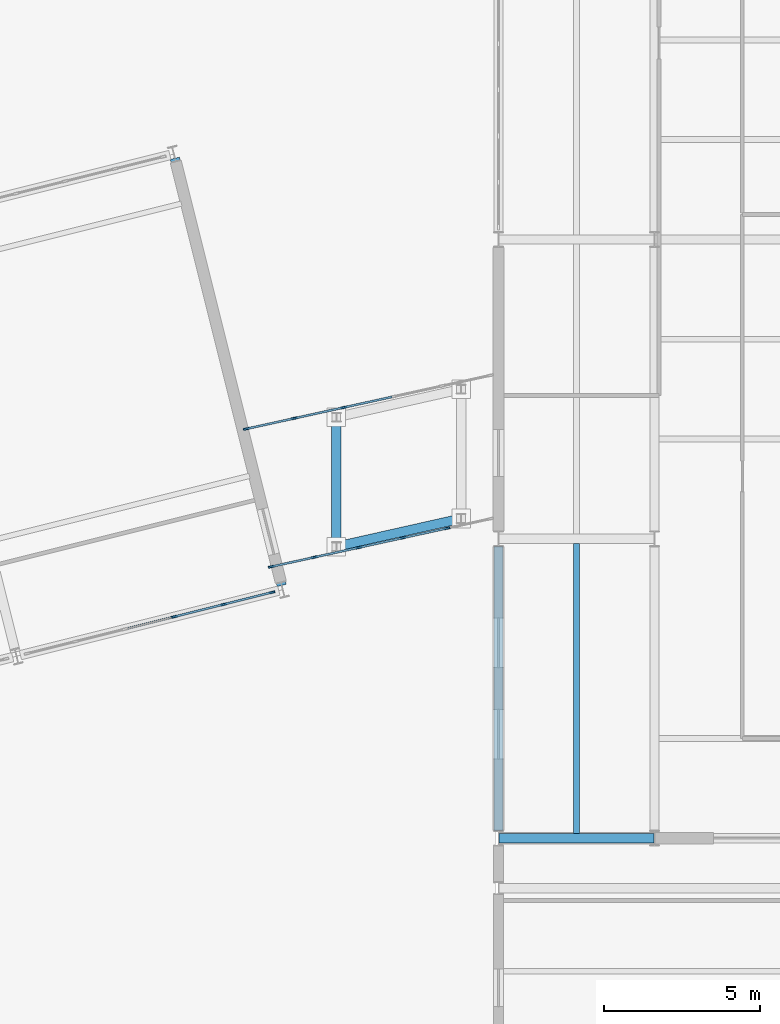
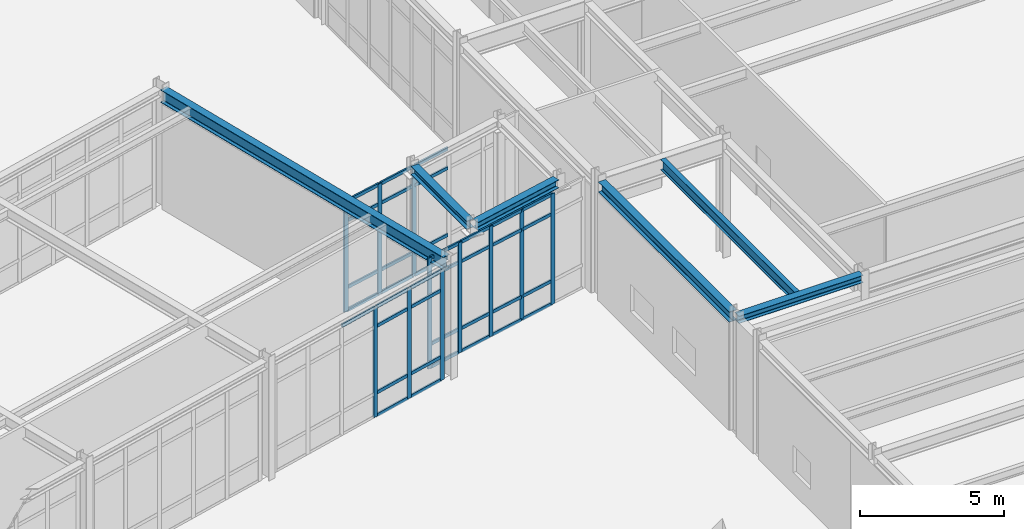
# One storey, part 31 of 109: 48 members, 6 beams, 3 elements without a shape of their own.
"""IFC4 building model written with IfcOpenShell, lengths in metres."""

import ifcopenshell
import ifcopenshell.guid

model = None  # the IFC model being written
_history = None  # IfcOwnerHistory: only IFC2X3 demands one
_inside = {}  # id of a spatial element -> (the spatial element, [elements in it])
_under = {}  # id of a project, library or spatial element -> (it, [spatial elements below it])
_declared = {}  # id of a project -> (the project, [libraries it declares])
_typed = {}  # id of a type object -> (the type object, [elements of that type])
_made_of = {}  # id of a material, layer set ... -> (it, [elements and type objects made of it])


def new_model(schema):
    """Start an empty IFC model of exactly this schema.

    Asked for "IFC4X3", IfcOpenShell would pick the latest addendum, in which some entities
    have other attributes; the version numbers below select the first issue.
    IFC2X3 requires an IfcOwnerHistory on every rooted entity: one is made here for all.
    """
    global model, _history
    if schema == "IFC4X3":
        model = ifcopenshell.file(schema_version=(4, 3, 0, 0))
    else:
        model = ifcopenshell.file(schema=schema)
    _inside.clear()
    _under.clear()
    _declared.clear()
    _typed.clear()
    _made_of.clear()
    _history = None
    if model.schema == "IFC2X3":
        org = make("IfcOrganization", Name="unknown")
        user = make(
            "IfcPersonAndOrganization",
            ThePerson=make("IfcPerson", FamilyName="unknown"),
            TheOrganization=org,
        )
        app = make(
            "IfcApplication",
            ApplicationDeveloper=org,
            Version="unknown",
            ApplicationFullName="unknown",
            ApplicationIdentifier="unknown",
        )
        _history = make(
            "IfcOwnerHistory",
            OwningUser=user,
            OwningApplication=app,
            ChangeAction="ADDED",
            CreationDate=0,
        )
    return model


def make(cls, **values):
    """One entity of the class cls with the attributes given. An attribute that is None is left unset."""
    return model.create_entity(
        cls, **{name: value for name, value in values.items() if value is not None}
    )


def rooted(cls, **values):
    """An entity with a GlobalId (a new one), such as an element, a storey or a relation."""
    return make(cls, GlobalId=ifcopenshell.guid.new(), OwnerHistory=_history, **values)


def si_unit(unit_type, name, prefix=None):
    """IfcSIUnit, for example si_unit("LENGTHUNIT", "METRE", prefix="MILLI")."""
    return make("IfcSIUnit", UnitType=unit_type, Prefix=prefix, Name=name)


def assignment(units):
    """IfcUnitAssignment: the units of a project."""
    return None if units is None else make("IfcUnitAssignment", Units=units)


def point(xyz):
    """IfcCartesianPoint."""
    return None if xyz is None else make("IfcCartesianPoint", Coordinates=xyz)


def direction(xyz):
    """IfcDirection."""
    return None if xyz is None else make("IfcDirection", DirectionRatios=xyz)


def frame(location, z_axis=None, x_axis=None):
    """IfcAxis2Placement3D, a coordinate frame: its origin and axes. An axis left out is left unset."""
    return make(
        "IfcAxis2Placement3D",
        Location=point(location),
        Axis=direction(z_axis),
        RefDirection=direction(x_axis),
    )


def frame_2d(location, x_axis=None):
    """IfcAxis2Placement2D, a coordinate frame in the plane: its origin and x axis."""
    return make(
        "IfcAxis2Placement2D", Location=point(location), RefDirection=direction(x_axis)
    )


def origin():
    """The frame at (0, 0, 0) with its axes left unset."""
    return frame((0.0, 0.0, 0.0))


def origin_2d():
    """The frame at (0, 0) in the plane with its x axis left unset."""
    return frame_2d((0.0, 0.0))


def place(relative_to, where):
    """IfcLocalPlacement: puts the frame where relative to a parent placement (None: the world)."""
    return make(
        "IfcLocalPlacement", PlacementRelTo=relative_to, RelativePlacement=where
    )


def context(
    kind, dimensions, precision=None, world=None, true_north=None, identifier=None
):
    """IfcGeometricRepresentationContext, for example the 3D "Model" context."""
    return make(
        "IfcGeometricRepresentationContext",
        ContextIdentifier=identifier,
        ContextType=kind,
        CoordinateSpaceDimension=dimensions,
        Precision=precision,
        WorldCoordinateSystem=world,
        TrueNorth=true_north,
    )


def subcontext(parent, identifier, kind, view, scale=None):
    """IfcGeometricRepresentationSubContext, for example "Body" below "Model"."""
    return make(
        "IfcGeometricRepresentationSubContext",
        ContextIdentifier=identifier,
        ContextType=kind,
        ParentContext=parent,
        TargetScale=scale,
        TargetView=view,
    )


def project(units=None, contexts=None):
    """IfcProject with its units and contexts."""
    return rooted(
        "IfcProject",
        Name="project",
        RepresentationContexts=contexts,
        UnitsInContext=assignment(units),
    )


def spatial(cls, under=None, at=None, **own):
    """A site, building, storey or space (cls), placed at a placement, below another one or the project."""
    s = rooted(cls, ObjectPlacement=at, **own)
    if under is not None:
        _under.setdefault(under.id(), (under, []))[1].append(s)
    return s


def profile(cls, at=None, kind="AREA", **sizes):
    """A parametric profile (cls). Its sizes go by their IFC names, for example OverallWidth=200.0."""
    return make(cls, ProfileType=kind, Position=at, **sizes)


def rectangle(**sizes):
    """IfcRectangleProfileDef."""
    return profile("IfcRectangleProfileDef", **sizes)


def i_section(**sizes):
    """IfcIShapeProfileDef."""
    return profile("IfcIShapeProfileDef", **sizes)


def extrude(swept, where, along, depth):
    """IfcExtrudedAreaSolid: the profile swept, set in the frame where, extruded along a direction by depth."""
    return make(
        "IfcExtrudedAreaSolid",
        SweptArea=swept,
        Position=where,
        ExtrudedDirection=direction(along),
        Depth=depth,
    )


def shape(context_of_items, identifier, shape_type, items):
    """IfcShapeRepresentation: the items that make up one representation, for example the "Body"."""
    return make(
        "IfcShapeRepresentation",
        ContextOfItems=context_of_items,
        RepresentationIdentifier=identifier,
        RepresentationType=shape_type,
        Items=items,
    )


def material(Name=None, Category=None):
    """IfcMaterial."""
    return make("IfcMaterial", Name=Name, Category=Category)


def layer(
    of_material, thickness, ventilated=None, Name=None, Category=None, Priority=None
):
    """IfcMaterialLayer: one layer of a wall or slab, of a material (None: an air gap)."""
    return make(
        "IfcMaterialLayer",
        Material=of_material,
        LayerThickness=thickness,
        IsVentilated=ventilated,
        Name=Name,
        Category=Category,
        Priority=Priority,
    )


def layer_set(layers, Name=None):
    """IfcMaterialLayerSet."""
    return make("IfcMaterialLayerSet", MaterialLayers=layers, LayerSetName=Name)


def material_profile(
    of_material, cross_section, Name=None, Category=None, Priority=None
):
    """IfcMaterialProfile: a cross section and its material."""
    return make(
        "IfcMaterialProfile",
        Name=Name,
        Material=of_material,
        Profile=cross_section,
        Priority=Priority,
        Category=Category,
    )


def profile_set(profiles, Name=None, composite=None):
    """IfcMaterialProfileSet."""
    return make(
        "IfcMaterialProfileSet",
        Name=Name,
        MaterialProfiles=profiles,
        CompositeProfile=composite,
    )


def made_of(thing, what):
    """Note that an element or type object is made of a material, layer set ...; save() writes the relation."""
    if what is not None:
        _made_of.setdefault(what.id(), (what, []))[1].append(thing)
    return thing


def type_object(cls, material=None, **own):
    """A type object (cls), such as IfcWallType, which elements share."""
    return made_of(rooted(cls, **own), material)


def element(
    cls,
    number,
    at=None,
    inside=None,
    cuts=None,
    type_object=None,
    material=None,
    context=None,
    identifier="Body",
    shape_type=None,
    held_by="IfcProductDefinitionShape",
    body=None,
    shapes=None,
    **own,
):
    """One element of the class cls, such as IfcWall. Its Tag is "e" and its number.

    at: its placement. inside: the storey or other place that contains it. cuts: it is an
    opening in that element (IfcRelVoidsElement). A single representation is given by context,
    identifier, shape_type and body (its items); several are given by shapes. held_by: the class
    of the entity that holds the representations. save() writes the other relations.
    """
    e = rooted(cls, Tag="e%d" % number, ObjectPlacement=at, **own)
    if body is not None:
        shapes = [shape(context, identifier, shape_type, body)]
    if shapes is not None:
        e.Representation = make(held_by, Representations=shapes)
    if inside is not None:
        _inside.setdefault(inside.id(), (inside, []))[1].append(e)
    if cuts is not None:
        rooted(
            "IfcRelVoidsElement", RelatingBuildingElement=cuts, RelatedOpeningElement=e
        )
    if type_object is not None:
        _typed.setdefault(type_object.id(), (type_object, []))[1].append(e)
    return made_of(e, material)


def aggregate(whole, parts):
    """IfcRelAggregates: a whole, such as a stair, and the parts it consists of."""
    return rooted("IfcRelAggregates", RelatingObject=whole, RelatedObjects=parts)


def save(model, path):
    """Write the relations noted so far, then the file.

    IfcRelAggregates (storeys below a building ...), IfcRelContainedInSpatialStructure (elements
    in a storey), IfcRelDefinesByType, IfcRelAssociatesMaterial and IfcRelDeclares: one each for
    every whole, place, type object, material and project.
    """
    for whole, parts in _under.values():
        aggregate(whole, parts)
    for where, things in _inside.values():
        rooted(
            "IfcRelContainedInSpatialStructure",
            RelatedElements=things,
            RelatingStructure=where,
        )
    for kind, things in _typed.values():
        rooted("IfcRelDefinesByType", RelatedObjects=things, RelatingType=kind)
    for what, things in _made_of.values():
        rooted("IfcRelAssociatesMaterial", RelatedObjects=things, RelatingMaterial=what)
    for by, libraries in _declared.values():
        rooted("IfcRelDeclares", RelatingContext=by, RelatedDefinitions=libraries)
    model.write(path)


model = new_model("IFC4")

# Units and contexts
model_context = context("Model", 3, precision=1e-05, world=origin(), true_north=direction((0.0, 1.0)))
body_context = subcontext(model_context, "Body", "Model", "MODEL_VIEW")
ifc_project = project(units=[si_unit("LENGTHUNIT", "METRE"), si_unit("AREAUNIT", "SQUARE_METRE"), si_unit("VOLUMEUNIT", "CUBIC_METRE"), si_unit("PLANEANGLEUNIT", "RADIAN"), si_unit("MASSUNIT", "GRAM", prefix="KILO")], contexts=[model_context])

# Site, building, storey
site_placement = place(None, origin())
site = spatial("IfcSite", under=ifc_project, at=site_placement, CompositionType="ELEMENT")
building_placement = place(site_placement, origin())
building = spatial("IfcBuilding", under=site, at=building_placement, Name="Nordkorset Police Headquarters", CompositionType="ELEMENT")
storey_placement = place(building_placement, origin())
storey = spatial("IfcBuildingStorey", under=building, at=storey_placement, Name="L00", CompositionType="ELEMENT", Elevation=0.0)

# Beam
ifc_material_1 = material(Name="Steel S355J2", Category="steel")
ifc_material_profile_1 = material_profile(ifc_material_1, i_section(OverallWidth=0.18994140625, OverallDepth=0.449951171875, WebThickness=0.009521484375, FlangeThickness=0.0146484375, FilletRadius=0.02099609375, at=origin_2d()), Name="IPE 450")
ifc_profile_set_1 = profile_set([ifc_material_profile_1], Name="Steel S355J2")
beam_type_1 = type_object("IfcBeamType", Name="Beam_IPE_450", PredefinedType="BEAM", material=ifc_profile_set_1)
beam_1_placement = place(storey_placement, frame((88.89990234375, 48.14990234375, 4.77490234375), z_axis=(0.0, 1.0, 0.0), x_axis=(-1.0, 0.0, 0.0)))
element("IfcBeam", 1, at=beam_1_placement, inside=storey, type_object=beam_type_1, Name="Composite Floor Beam V5 L00 0-0-1", PredefinedType="BEAM", context=body_context, shape_type="SweptSolid", body=[
    extrude(i_section(OverallWidth=0.18994140625, OverallDepth=0.449951171875, WebThickness=0.009521484375, FlangeThickness=0.0146484375, FilletRadius=0.02099609375, at=origin_2d()), origin(), (0.0, 0.0, 1.0), 9.300048828125),
])

# Curtain wall, members
ifc_material_2 = material(Name="Aluminium alloy AW-6060", Category="aluminium")
ifc_layer_1 = layer(ifc_material_2, 0.179931640625, Name="Aluminium alloy AW-6060")
ifc_layer_set_1 = layer_set([ifc_layer_1], Name="Aluminium alloy AW-6060")
curtain_wall_type_1 = type_object("IfcCurtainWallType", Name="CW_Unit_816x467", PredefinedType="USERDEFINED", material=ifc_layer_set_1)
curtain_wall_1_placement = place(storey_placement, origin())
curtain_wall_1 = element("IfcCurtainWall", 2, at=curtain_wall_1_placement, inside=storey, type_object=curtain_wall_type_1, Name="Unitised Curtain Wall L00 V4S-5", ObjectType="UNITISED CURTAIN WALL", PredefinedType="USERDEFINED")
ifc_material_3 = material(Name="Aluminium alloy AW-6060", Category="aluminium")
ifc_material_profile_2 = material_profile(ifc_material_3, rectangle(XDim=0.06494140625, YDim=0.179931640625, at=origin_2d()), Name="ALU MULL 65x180")
ifc_profile_set_2 = profile_set([ifc_material_profile_2], Name="Aluminium alloy AW-6060")
member_type_1 = type_object("IfcMemberType", Name="CW_Mullion_65x180", PredefinedType="MULLION", material=ifc_profile_set_2)
member_1_placement = place(storey_placement, frame((76.003173828125, 55.100830078125, 0.0), z_axis=(0.0, 0.0, 1.0), x_axis=(-0.242535625038, 0.970142500145, 0.0)))
member_1 = element("IfcMember", 3, at=member_1_placement, type_object=member_type_1, Name="CW-80 mullion 4", PredefinedType="MULLION", context=body_context, shape_type="SweptSolid", body=[
    extrude(rectangle(XDim=0.06494140625, YDim=0.179931640625, at=origin_2d()), origin(), (0.0, 0.0, 1.0), 4.669921875),
])
member_2_placement = place(storey_placement, frame((77.58642578125, 55.49658203125, 0.0), z_axis=(0.0, 0.0, 1.0), x_axis=(-0.242535625038, 0.970142500145, 0.0)))
member_2 = element("IfcMember", 4, at=member_2_placement, type_object=member_type_1, Name="CW-80 mullion 5", PredefinedType="MULLION", context=body_context, shape_type="SweptSolid", body=[
    extrude(rectangle(XDim=0.06494140625, YDim=0.179931640625, at=origin_2d()), origin(), (0.0, 0.0, 1.0), 4.669921875),
])
member_3_placement = place(storey_placement, frame((79.13818359375, 55.884521484375, 0.0), z_axis=(0.0, 0.0, 1.0), x_axis=(-0.242535625038, 0.970142500145, 0.0)))
member_3 = element("IfcMember", 5, at=member_3_placement, type_object=member_type_1, Name="CW-80 mullion 6", PredefinedType="MULLION", context=body_context, shape_type="SweptSolid", body=[
    extrude(rectangle(XDim=0.06494140625, YDim=0.179931640625, at=origin_2d()), origin(), (0.0, 0.0, 1.0), 4.669921875),
])

ifc_material_4 = material(Name="Aluminium alloy AW-6060", Category="aluminium")
ifc_layer_2 = layer(ifc_material_4, 0.179931640625, Name="Aluminium alloy AW-6060")
ifc_layer_set_2 = layer_set([ifc_layer_2], Name="Aluminium alloy AW-6060")
curtain_wall_type_2 = type_object("IfcCurtainWallType", Name="CW_Unit_727x468", PredefinedType="USERDEFINED", material=ifc_layer_set_2)
curtain_wall_2_placement = place(storey_placement, origin())
curtain_wall_2 = element("IfcCurtainWall", 6, at=curtain_wall_2_placement, inside=storey, type_object=curtain_wall_type_2, Name="Unitised Curtain Wall L00 BRGE-S", ObjectType="UNITISED CURTAIN WALL", PredefinedType="USERDEFINED")
member_4_placement = place(storey_placement, frame((79.107666015625, 56.705322265625, 0.0), z_axis=(0.0, 0.0, 1.0), x_axis=(-0.213736608425, 0.976891325695, 0.0)))
member_4 = element("IfcMember", 7, at=member_4_placement, type_object=member_type_1, Name="CW-33 mullion 1", PredefinedType="MULLION", context=body_context, shape_type="SweptSolid", body=[
    extrude(rectangle(XDim=0.06494140625, YDim=0.179931640625, at=origin_2d()), origin(), (0.0, 0.0, 1.0), 4.68505859375),
])
member_5_placement = place(storey_placement, frame((80.49560546875, 57.009033203125, 0.0), z_axis=(0.0, 0.0, 1.0), x_axis=(-0.213736608425, 0.976891325695, 0.0)))
member_5 = element("IfcMember", 8, at=member_5_placement, type_object=member_type_1, Name="CW-33 mullion 2", PredefinedType="MULLION", context=body_context, shape_type="SweptSolid", body=[
    extrude(rectangle(XDim=0.06494140625, YDim=0.179931640625, at=origin_2d()), origin(), (0.0, 0.0, 1.0), 4.68505859375),
])
member_6_placement = place(storey_placement, frame((81.915283203125, 57.319580078125, 0.0), z_axis=(0.0, 0.0, 1.0), x_axis=(-0.213736608425, 0.976891325695, 0.0)))
member_6 = element("IfcMember", 9, at=member_6_placement, type_object=member_type_1, Name="CW-33 mullion 3", PredefinedType="MULLION", context=body_context, shape_type="SweptSolid", body=[
    extrude(rectangle(XDim=0.06494140625, YDim=0.179931640625, at=origin_2d()), origin(), (0.0, 0.0, 1.0), 4.68505859375),
])
member_7_placement = place(storey_placement, frame((83.334716796875, 57.63037109375, 0.0), z_axis=(0.0, 0.0, 1.0), x_axis=(-0.213736608425, 0.976891325695, 0.0)))
member_7 = element("IfcMember", 10, at=member_7_placement, type_object=member_type_1, Name="CW-33 mullion 4", PredefinedType="MULLION", context=body_context, shape_type="SweptSolid", body=[
    extrude(rectangle(XDim=0.06494140625, YDim=0.179931640625, at=origin_2d()), origin(), (0.0, 0.0, 1.0), 4.68505859375),
])
member_8_placement = place(storey_placement, frame((84.75439453125, 57.94091796875, 0.0), z_axis=(0.0, 0.0, 1.0), x_axis=(-0.213736608425, 0.976891325695, 0.0)))
member_8 = element("IfcMember", 11, at=member_8_placement, type_object=member_type_1, Name="CW-33 mullion 5", PredefinedType="MULLION", context=body_context, shape_type="SweptSolid", body=[
    extrude(rectangle(XDim=0.06494140625, YDim=0.179931640625, at=origin_2d()), origin(), (0.0, 0.0, 1.0), 4.68505859375),
])

ifc_material_5 = material(Name="Aluminium alloy AW-6060", Category="aluminium")
ifc_layer_3 = layer(ifc_material_5, 0.179931640625, Name="Aluminium alloy AW-6060")
ifc_layer_set_3 = layer_set([ifc_layer_3], Name="Aluminium alloy AW-6060")
curtain_wall_type_3 = type_object("IfcCurtainWallType", Name="CW_Unit_809x468", PredefinedType="USERDEFINED", material=ifc_layer_set_3)
curtain_wall_3_placement = place(storey_placement, origin())
curtain_wall_3 = element("IfcCurtainWall", 12, at=curtain_wall_3_placement, inside=storey, type_object=curtain_wall_type_3, Name="Unitised Curtain Wall L00 BRGE-N", ObjectType="UNITISED CURTAIN WALL", PredefinedType="USERDEFINED")
member_9_placement = place(storey_placement, frame((78.3076171875, 61.12548828125, 0.0), z_axis=(0.0, 0.0, 1.0), x_axis=(-0.214298001706, 0.976768327939, 0.0)))
member_9 = element("IfcMember", 13, at=member_9_placement, type_object=member_type_1, Name="CW-59 mullion 1", PredefinedType="MULLION", context=body_context, shape_type="SweptSolid", body=[
    extrude(rectangle(XDim=0.06494140625, YDim=0.179931640625, at=origin_2d()), origin(), (0.0, 0.0, 1.0), 4.68505859375),
])
member_10_placement = place(storey_placement, frame((79.85546875, 61.465087890625, 0.0), z_axis=(0.0, 0.0, 1.0), x_axis=(-0.214298001706, 0.976768327939, 0.0)))
member_10 = element("IfcMember", 14, at=member_10_placement, type_object=member_type_1, Name="CW-59 mullion 2", PredefinedType="MULLION", context=body_context, shape_type="SweptSolid", body=[
    extrude(rectangle(XDim=0.06494140625, YDim=0.179931640625, at=origin_2d()), origin(), (0.0, 0.0, 1.0), 4.68505859375),
])
member_11_placement = place(storey_placement, frame((81.43505859375, 61.811767578125, 0.0), z_axis=(0.0, 0.0, 1.0), x_axis=(-0.214298001706, 0.976768327939, 0.0)))
member_11 = element("IfcMember", 15, at=member_11_placement, type_object=member_type_1, Name="CW-59 mullion 3", PredefinedType="MULLION", context=body_context, shape_type="SweptSolid", body=[
    extrude(rectangle(XDim=0.06494140625, YDim=0.179931640625, at=origin_2d()), origin(), (0.0, 0.0, 1.0), 4.68505859375),
])

# Member
ifc_material_6 = material(Name="Aluminium alloy AW-6060", Category="aluminium")
ifc_material_profile_3 = material_profile(ifc_material_6, rectangle(XDim=0.06494140625, YDim=0.139892578125, at=origin_2d()), Name="ALU TRAN 65x140")
ifc_profile_set_3 = profile_set([ifc_material_profile_3], Name="Aluminium alloy AW-6060")
member_type_2 = type_object("IfcMemberType", Name="CW_Transom_65x140", PredefinedType="USERDEFINED", material=ifc_profile_set_3)
member_12_placement = place(storey_placement, frame((74.451416015625, 54.712890625, 4.637451171875), z_axis=(0.970133335061, 0.24257228243, 0.0), x_axis=(-0.24257228243, 0.970133335061, 0.0)))
member_12 = element("IfcMember", 16, at=member_12_placement, type_object=member_type_2, Name="CW-80 transom 3.4", ObjectType="TRANSOM", PredefinedType="USERDEFINED", context=body_context, shape_type="SweptSolid", body=[
    extrude(rectangle(XDim=0.06494140625, YDim=0.139892578125, at=origin_2d()), origin(), (0.0, 0.0, 1.0), 1.567138671875),
])

member_13_placement = place(storey_placement, frame((76.03466796875, 55.108642578125, 0.032470703125), z_axis=(0.970133335061, 0.24257228243, 0.0), x_axis=(-0.24257228243, 0.970133335061, 0.0)))
member_13 = element("IfcMember", 17, at=member_13_placement, type_object=member_type_2, Name="CW-80 transom 4.1", ObjectType="TRANSOM", PredefinedType="USERDEFINED", context=body_context, shape_type="SweptSolid", body=[
    extrude(rectangle(XDim=0.06494140625, YDim=0.139892578125, at=origin_2d()), origin(), (0.0, 0.0, 1.0), 1.567138671875),
])

member_14_placement = place(storey_placement, frame((76.03466796875, 55.108642578125, 1.0), z_axis=(0.970133335061, 0.24257228243, 0.0), x_axis=(-0.24257228243, 0.970133335061, 0.0)))
member_14 = element("IfcMember", 18, at=member_14_placement, type_object=member_type_2, Name="CW-80 transom 4.2", ObjectType="TRANSOM", PredefinedType="USERDEFINED", context=body_context, shape_type="SweptSolid", body=[
    extrude(rectangle(XDim=0.06494140625, YDim=0.139892578125, at=origin_2d()), origin(), (0.0, 0.0, 1.0), 1.567138671875),
])

member_15_placement = place(storey_placement, frame((76.03466796875, 55.108642578125, 3.820068359375), z_axis=(0.970133335061, 0.24257228243, 0.0), x_axis=(-0.24257228243, 0.970133335061, 0.0)))
member_15 = element("IfcMember", 19, at=member_15_placement, type_object=member_type_2, Name="CW-80 transom 4.3", ObjectType="TRANSOM", PredefinedType="USERDEFINED", context=body_context, shape_type="SweptSolid", body=[
    extrude(rectangle(XDim=0.06494140625, YDim=0.139892578125, at=origin_2d()), origin(), (0.0, 0.0, 1.0), 1.567138671875),
])

member_16_placement = place(storey_placement, frame((76.03466796875, 55.108642578125, 4.637451171875), z_axis=(0.970133335061, 0.24257228243, 0.0), x_axis=(-0.24257228243, 0.970133335061, 0.0)))
member_16 = element("IfcMember", 20, at=member_16_placement, type_object=member_type_2, Name="CW-80 transom 4.4", ObjectType="TRANSOM", PredefinedType="USERDEFINED", context=body_context, shape_type="SweptSolid", body=[
    extrude(rectangle(XDim=0.06494140625, YDim=0.139892578125, at=origin_2d()), origin(), (0.0, 0.0, 1.0), 1.567138671875),
])

member_17_placement = place(storey_placement, frame((77.617919921875, 55.50439453125, 0.032470703125), z_axis=(0.970123780922, 0.242610489653, 0.0), x_axis=(-0.242610489653, 0.970123780922, 0.0)))
member_17 = element("IfcMember", 21, at=member_17_placement, type_object=member_type_2, Name="CW-80 transom 5.1", ObjectType="TRANSOM", PredefinedType="USERDEFINED", context=body_context, shape_type="SweptSolid", body=[
    extrude(rectangle(XDim=0.06494140625, YDim=0.139892578125, at=origin_2d()), origin(), (0.0, 0.0, 1.0), 1.53466796875),
])

member_18_placement = place(storey_placement, frame((77.617919921875, 55.50439453125, 1.0), z_axis=(0.970123780922, 0.242610489653, 0.0), x_axis=(-0.242610489653, 0.970123780922, 0.0)))
member_18 = element("IfcMember", 22, at=member_18_placement, type_object=member_type_2, Name="CW-80 transom 5.2", ObjectType="TRANSOM", PredefinedType="USERDEFINED", context=body_context, shape_type="SweptSolid", body=[
    extrude(rectangle(XDim=0.06494140625, YDim=0.139892578125, at=origin_2d()), origin(), (0.0, 0.0, 1.0), 1.53466796875),
])

member_19_placement = place(storey_placement, frame((77.617919921875, 55.50439453125, 3.820068359375), z_axis=(0.970123780922, 0.242610489653, 0.0), x_axis=(-0.242610489653, 0.970123780922, 0.0)))
member_19 = element("IfcMember", 23, at=member_19_placement, type_object=member_type_2, Name="CW-80 transom 5.3", ObjectType="TRANSOM", PredefinedType="USERDEFINED", context=body_context, shape_type="SweptSolid", body=[
    extrude(rectangle(XDim=0.06494140625, YDim=0.139892578125, at=origin_2d()), origin(), (0.0, 0.0, 1.0), 1.53466796875),
])

member_20_placement = place(storey_placement, frame((77.617919921875, 55.50439453125, 4.637451171875), z_axis=(0.970123780922, 0.242610489653, 0.0), x_axis=(-0.242610489653, 0.970123780922, 0.0)))
member_20 = element("IfcMember", 24, at=member_20_placement, type_object=member_type_2, Name="CW-80 transom 5.4", ObjectType="TRANSOM", PredefinedType="USERDEFINED", context=body_context, shape_type="SweptSolid", body=[
    extrude(rectangle(XDim=0.06494140625, YDim=0.139892578125, at=origin_2d()), origin(), (0.0, 0.0, 1.0), 1.53466796875),
])

aggregate(curtain_wall_1, [member_1, member_2, member_3, member_12, member_13, member_14, member_15, member_16, member_17, member_18, member_19, member_20])

member_21_placement = place(storey_placement, frame((79.139404296875, 56.71240234375, 0.032470703125), z_axis=(0.976889443486, 0.213745210953, 0.0), x_axis=(-0.213745210953, 0.976889443486, 0.0)))
member_21 = element("IfcMember", 25, at=member_21_placement, type_object=member_type_2, Name="CW-33 transom 1.1", ObjectType="TRANSOM", PredefinedType="USERDEFINED", context=body_context, shape_type="SweptSolid", body=[
    extrude(rectangle(XDim=0.06494140625, YDim=0.139892578125, at=origin_2d()), origin(), (0.0, 0.0, 1.0), 1.355712890625),
])

member_22_placement = place(storey_placement, frame((79.139404296875, 56.71240234375, 1.0), z_axis=(0.976889443486, 0.213745210953, 0.0), x_axis=(-0.213745210953, 0.976889443486, 0.0)))
member_22 = element("IfcMember", 26, at=member_22_placement, type_object=member_type_2, Name="CW-33 transom 1.2", ObjectType="TRANSOM", PredefinedType="USERDEFINED", context=body_context, shape_type="SweptSolid", body=[
    extrude(rectangle(XDim=0.06494140625, YDim=0.139892578125, at=origin_2d()), origin(), (0.0, 0.0, 1.0), 1.355712890625),
])

member_23_placement = place(storey_placement, frame((79.139404296875, 56.71240234375, 3.8349609375), z_axis=(0.976889443486, 0.213745210953, 0.0), x_axis=(-0.213745210953, 0.976889443486, 0.0)))
member_23 = element("IfcMember", 27, at=member_23_placement, type_object=member_type_2, Name="CW-33 transom 1.3", ObjectType="TRANSOM", PredefinedType="USERDEFINED", context=body_context, shape_type="SweptSolid", body=[
    extrude(rectangle(XDim=0.06494140625, YDim=0.139892578125, at=origin_2d()), origin(), (0.0, 0.0, 1.0), 1.355712890625),
])

member_24_placement = place(storey_placement, frame((79.139404296875, 56.71240234375, 4.652587890625), z_axis=(0.976889443486, 0.213745210953, 0.0), x_axis=(-0.213745210953, 0.976889443486, 0.0)))
member_24 = element("IfcMember", 28, at=member_24_placement, type_object=member_type_2, Name="CW-33 transom 1.4", ObjectType="TRANSOM", PredefinedType="USERDEFINED", context=body_context, shape_type="SweptSolid", body=[
    extrude(rectangle(XDim=0.06494140625, YDim=0.139892578125, at=origin_2d()), origin(), (0.0, 0.0, 1.0), 1.355712890625),
])

member_25_placement = place(storey_placement, frame((80.52734375, 57.01611328125, 0.032470703125), z_axis=(0.976897722399, 0.213707369952, 0.0), x_axis=(-0.213707369952, 0.976897722399, 0.0)))
member_25 = element("IfcMember", 29, at=member_25_placement, type_object=member_type_2, Name="CW-33 transom 2.1", ObjectType="TRANSOM", PredefinedType="USERDEFINED", context=body_context, shape_type="SweptSolid", body=[
    extrude(rectangle(XDim=0.06494140625, YDim=0.139892578125, at=origin_2d()), origin(), (0.0, 0.0, 1.0), 1.387939453125),
])

member_26_placement = place(storey_placement, frame((80.52734375, 57.01611328125, 1.0), z_axis=(0.976897722399, 0.213707369952, 0.0), x_axis=(-0.213707369952, 0.976897722399, 0.0)))
member_26 = element("IfcMember", 30, at=member_26_placement, type_object=member_type_2, Name="CW-33 transom 2.2", ObjectType="TRANSOM", PredefinedType="USERDEFINED", context=body_context, shape_type="SweptSolid", body=[
    extrude(rectangle(XDim=0.06494140625, YDim=0.139892578125, at=origin_2d()), origin(), (0.0, 0.0, 1.0), 1.387939453125),
])

member_27_placement = place(storey_placement, frame((80.52734375, 57.01611328125, 3.8349609375), z_axis=(0.976897722399, 0.213707369952, 0.0), x_axis=(-0.213707369952, 0.976897722399, 0.0)))
member_27 = element("IfcMember", 31, at=member_27_placement, type_object=member_type_2, Name="CW-33 transom 2.3", ObjectType="TRANSOM", PredefinedType="USERDEFINED", context=body_context, shape_type="SweptSolid", body=[
    extrude(rectangle(XDim=0.06494140625, YDim=0.139892578125, at=origin_2d()), origin(), (0.0, 0.0, 1.0), 1.387939453125),
])

member_28_placement = place(storey_placement, frame((80.52734375, 57.01611328125, 4.652587890625), z_axis=(0.976897722399, 0.213707369952, 0.0), x_axis=(-0.213707369952, 0.976897722399, 0.0)))
member_28 = element("IfcMember", 32, at=member_28_placement, type_object=member_type_2, Name="CW-33 transom 2.4", ObjectType="TRANSOM", PredefinedType="USERDEFINED", context=body_context, shape_type="SweptSolid", body=[
    extrude(rectangle(XDim=0.06494140625, YDim=0.139892578125, at=origin_2d()), origin(), (0.0, 0.0, 1.0), 1.387939453125),
])

member_29_placement = place(storey_placement, frame((81.947021484375, 57.32666015625, 0.032470703125), z_axis=(0.976897722399, 0.213707369952, 0.0), x_axis=(-0.213707369952, 0.976897722399, 0.0)))
member_29 = element("IfcMember", 33, at=member_29_placement, type_object=member_type_2, Name="CW-33 transom 3.1", ObjectType="TRANSOM", PredefinedType="USERDEFINED", context=body_context, shape_type="SweptSolid", body=[
    extrude(rectangle(XDim=0.06494140625, YDim=0.139892578125, at=origin_2d()), origin(), (0.0, 0.0, 1.0), 1.387939453125),
])

member_30_placement = place(storey_placement, frame((81.947021484375, 57.32666015625, 1.0), z_axis=(0.976897722399, 0.213707369952, 0.0), x_axis=(-0.213707369952, 0.976897722399, 0.0)))
member_30 = element("IfcMember", 34, at=member_30_placement, type_object=member_type_2, Name="CW-33 transom 3.2", ObjectType="TRANSOM", PredefinedType="USERDEFINED", context=body_context, shape_type="SweptSolid", body=[
    extrude(rectangle(XDim=0.06494140625, YDim=0.139892578125, at=origin_2d()), origin(), (0.0, 0.0, 1.0), 1.387939453125),
])

member_31_placement = place(storey_placement, frame((81.947021484375, 57.32666015625, 3.8349609375), z_axis=(0.976897722399, 0.213707369952, 0.0), x_axis=(-0.213707369952, 0.976897722399, 0.0)))
member_31 = element("IfcMember", 35, at=member_31_placement, type_object=member_type_2, Name="CW-33 transom 3.3", ObjectType="TRANSOM", PredefinedType="USERDEFINED", context=body_context, shape_type="SweptSolid", body=[
    extrude(rectangle(XDim=0.06494140625, YDim=0.139892578125, at=origin_2d()), origin(), (0.0, 0.0, 1.0), 1.387939453125),
])

member_32_placement = place(storey_placement, frame((81.947021484375, 57.32666015625, 4.652587890625), z_axis=(0.976897722399, 0.213707369952, 0.0), x_axis=(-0.213707369952, 0.976897722399, 0.0)))
member_32 = element("IfcMember", 36, at=member_32_placement, type_object=member_type_2, Name="CW-33 transom 3.4", ObjectType="TRANSOM", PredefinedType="USERDEFINED", context=body_context, shape_type="SweptSolid", body=[
    extrude(rectangle(XDim=0.06494140625, YDim=0.139892578125, at=origin_2d()), origin(), (0.0, 0.0, 1.0), 1.387939453125),
])

member_33_placement = place(storey_placement, frame((83.36669921875, 57.63720703125, 0.032470703125), z_axis=(0.976860988586, 0.213875218243, 0.0), x_axis=(-0.213875218243, 0.976860988586, 0.0)))
member_33 = element("IfcMember", 37, at=member_33_placement, type_object=member_type_2, Name="CW-33 transom 4.1", ObjectType="TRANSOM", PredefinedType="USERDEFINED", context=body_context, shape_type="SweptSolid", body=[
    extrude(rectangle(XDim=0.06494140625, YDim=0.139892578125, at=origin_2d()), origin(), (0.0, 0.0, 1.0), 1.38818359375),
])

member_34_placement = place(storey_placement, frame((83.36669921875, 57.63720703125, 1.0), z_axis=(0.976860988586, 0.213875218243, 0.0), x_axis=(-0.213875218243, 0.976860988586, 0.0)))
member_34 = element("IfcMember", 38, at=member_34_placement, type_object=member_type_2, Name="CW-33 transom 4.2", ObjectType="TRANSOM", PredefinedType="USERDEFINED", context=body_context, shape_type="SweptSolid", body=[
    extrude(rectangle(XDim=0.06494140625, YDim=0.139892578125, at=origin_2d()), origin(), (0.0, 0.0, 1.0), 1.38818359375),
])

member_35_placement = place(storey_placement, frame((83.36669921875, 57.63720703125, 3.8349609375), z_axis=(0.976860988586, 0.213875218243, 0.0), x_axis=(-0.213875218243, 0.976860988586, 0.0)))
member_35 = element("IfcMember", 39, at=member_35_placement, type_object=member_type_2, Name="CW-33 transom 4.3", ObjectType="TRANSOM", PredefinedType="USERDEFINED", context=body_context, shape_type="SweptSolid", body=[
    extrude(rectangle(XDim=0.06494140625, YDim=0.139892578125, at=origin_2d()), origin(), (0.0, 0.0, 1.0), 1.38818359375),
])

member_36_placement = place(storey_placement, frame((83.36669921875, 57.63720703125, 4.652587890625), z_axis=(0.976860988586, 0.213875218243, 0.0), x_axis=(-0.213875218243, 0.976860988586, 0.0)))
member_36 = element("IfcMember", 40, at=member_36_placement, type_object=member_type_2, Name="CW-33 transom 4.4", ObjectType="TRANSOM", PredefinedType="USERDEFINED", context=body_context, shape_type="SweptSolid", body=[
    extrude(rectangle(XDim=0.06494140625, YDim=0.139892578125, at=origin_2d()), origin(), (0.0, 0.0, 1.0), 1.38818359375),
])

aggregate(curtain_wall_2, [member_4, member_5, member_6, member_7, member_8, member_21, member_22, member_23, member_24, member_25, member_26, member_27, member_28, member_29, member_30, member_31, member_32, member_33, member_34, member_35, member_36])

member_37_placement = place(storey_placement, frame((78.33935546875, 61.132568359375, 0.032470703125), z_axis=(0.976765673538, 0.214310100082, 0.0), x_axis=(-0.214310100082, 0.976765673538, 0.0)))
member_37 = element("IfcMember", 41, at=member_37_placement, type_object=member_type_2, Name="CW-59 transom 1.1", ObjectType="TRANSOM", PredefinedType="USERDEFINED", context=body_context, shape_type="SweptSolid", body=[
    extrude(rectangle(XDim=0.06494140625, YDim=0.139892578125, at=origin_2d()), origin(), (0.0, 0.0, 1.0), 1.519775390625),
])

member_38_placement = place(storey_placement, frame((78.33935546875, 61.132568359375, 1.0), z_axis=(0.976765673538, 0.214310100082, 0.0), x_axis=(-0.214310100082, 0.976765673538, 0.0)))
member_38 = element("IfcMember", 42, at=member_38_placement, type_object=member_type_2, Name="CW-59 transom 1.2", ObjectType="TRANSOM", PredefinedType="USERDEFINED", context=body_context, shape_type="SweptSolid", body=[
    extrude(rectangle(XDim=0.06494140625, YDim=0.139892578125, at=origin_2d()), origin(), (0.0, 0.0, 1.0), 1.519775390625),
])

member_39_placement = place(storey_placement, frame((78.33935546875, 61.132568359375, 3.8349609375), z_axis=(0.976765673538, 0.214310100082, 0.0), x_axis=(-0.214310100082, 0.976765673538, 0.0)))
member_39 = element("IfcMember", 43, at=member_39_placement, type_object=member_type_2, Name="CW-59 transom 1.3", ObjectType="TRANSOM", PredefinedType="USERDEFINED", context=body_context, shape_type="SweptSolid", body=[
    extrude(rectangle(XDim=0.06494140625, YDim=0.139892578125, at=origin_2d()), origin(), (0.0, 0.0, 1.0), 1.519775390625),
])

member_40_placement = place(storey_placement, frame((78.33935546875, 61.132568359375, 4.652587890625), z_axis=(0.976765673538, 0.214310100082, 0.0), x_axis=(-0.214310100082, 0.976765673538, 0.0)))
member_40 = element("IfcMember", 44, at=member_40_placement, type_object=member_type_2, Name="CW-59 transom 1.4", ObjectType="TRANSOM", PredefinedType="USERDEFINED", context=body_context, shape_type="SweptSolid", body=[
    extrude(rectangle(XDim=0.06494140625, YDim=0.139892578125, at=origin_2d()), origin(), (0.0, 0.0, 1.0), 1.519775390625),
])

member_41_placement = place(storey_placement, frame((79.88720703125, 61.47216796875, 0.032470703125), z_axis=(0.976782891569, 0.214231610035, 0.0), x_axis=(-0.214231610035, 0.976782891569, 0.0)))
member_41 = element("IfcMember", 45, at=member_41_placement, type_object=member_type_2, Name="CW-59 transom 2.1", ObjectType="TRANSOM", PredefinedType="USERDEFINED", context=body_context, shape_type="SweptSolid", body=[
    extrude(rectangle(XDim=0.06494140625, YDim=0.139892578125, at=origin_2d()), origin(), (0.0, 0.0, 1.0), 1.55224609375),
])

member_42_placement = place(storey_placement, frame((79.88720703125, 61.47216796875, 1.0), z_axis=(0.976782891569, 0.214231610035, 0.0), x_axis=(-0.214231610035, 0.976782891569, 0.0)))
member_42 = element("IfcMember", 46, at=member_42_placement, type_object=member_type_2, Name="CW-59 transom 2.2", ObjectType="TRANSOM", PredefinedType="USERDEFINED", context=body_context, shape_type="SweptSolid", body=[
    extrude(rectangle(XDim=0.06494140625, YDim=0.139892578125, at=origin_2d()), origin(), (0.0, 0.0, 1.0), 1.55224609375),
])

member_43_placement = place(storey_placement, frame((79.88720703125, 61.47216796875, 3.8349609375), z_axis=(0.976782891569, 0.214231610035, 0.0), x_axis=(-0.214231610035, 0.976782891569, 0.0)))
member_43 = element("IfcMember", 47, at=member_43_placement, type_object=member_type_2, Name="CW-59 transom 2.3", ObjectType="TRANSOM", PredefinedType="USERDEFINED", context=body_context, shape_type="SweptSolid", body=[
    extrude(rectangle(XDim=0.06494140625, YDim=0.139892578125, at=origin_2d()), origin(), (0.0, 0.0, 1.0), 1.55224609375),
])

member_44_placement = place(storey_placement, frame((79.88720703125, 61.47216796875, 4.652587890625), z_axis=(0.976782891569, 0.214231610035, 0.0), x_axis=(-0.214231610035, 0.976782891569, 0.0)))
member_44 = element("IfcMember", 48, at=member_44_placement, type_object=member_type_2, Name="CW-59 transom 2.4", ObjectType="TRANSOM", PredefinedType="USERDEFINED", context=body_context, shape_type="SweptSolid", body=[
    extrude(rectangle(XDim=0.06494140625, YDim=0.139892578125, at=origin_2d()), origin(), (0.0, 0.0, 1.0), 1.55224609375),
])

member_45_placement = place(storey_placement, frame((81.466796875, 61.818603515625, 0.032470703125), z_axis=(0.976757193741, 0.21434874498, 0.0), x_axis=(-0.21434874498, 0.976757193741, 0.0)))
member_45 = element("IfcMember", 49, at=member_45_placement, type_object=member_type_2, Name="CW-59 transom 3.1", ObjectType="TRANSOM", PredefinedType="USERDEFINED", context=body_context, shape_type="SweptSolid", body=[
    extrude(rectangle(XDim=0.06494140625, YDim=0.139892578125, at=origin_2d()), origin(), (0.0, 0.0, 1.0), 1.552490234375),
])

member_46_placement = place(storey_placement, frame((81.466796875, 61.818603515625, 1.0), z_axis=(0.976757193741, 0.21434874498, 0.0), x_axis=(-0.21434874498, 0.976757193741, 0.0)))
member_46 = element("IfcMember", 50, at=member_46_placement, type_object=member_type_2, Name="CW-59 transom 3.2", ObjectType="TRANSOM", PredefinedType="USERDEFINED", context=body_context, shape_type="SweptSolid", body=[
    extrude(rectangle(XDim=0.06494140625, YDim=0.139892578125, at=origin_2d()), origin(), (0.0, 0.0, 1.0), 1.552490234375),
])

member_47_placement = place(storey_placement, frame((81.466796875, 61.818603515625, 3.8349609375), z_axis=(0.976757193741, 0.21434874498, 0.0), x_axis=(-0.21434874498, 0.976757193741, 0.0)))
member_47 = element("IfcMember", 51, at=member_47_placement, type_object=member_type_2, Name="CW-59 transom 3.3", ObjectType="TRANSOM", PredefinedType="USERDEFINED", context=body_context, shape_type="SweptSolid", body=[
    extrude(rectangle(XDim=0.06494140625, YDim=0.139892578125, at=origin_2d()), origin(), (0.0, 0.0, 1.0), 1.552490234375),
])

member_48_placement = place(storey_placement, frame((81.466796875, 61.818603515625, 4.652587890625), z_axis=(0.976757193741, 0.21434874498, 0.0), x_axis=(-0.21434874498, 0.976757193741, 0.0)))
member_48 = element("IfcMember", 52, at=member_48_placement, type_object=member_type_2, Name="CW-59 transom 3.4", ObjectType="TRANSOM", PredefinedType="USERDEFINED", context=body_context, shape_type="SweptSolid", body=[
    extrude(rectangle(XDim=0.06494140625, YDim=0.139892578125, at=origin_2d()), origin(), (0.0, 0.0, 1.0), 1.552490234375),
])

aggregate(curtain_wall_3, [member_9, member_10, member_11, member_37, member_38, member_39, member_40, member_41, member_42, member_43, member_44, member_45, member_46, member_47, member_48])

# Beams
ifc_material_7 = material(Name="Steel S355J2", Category="steel")
ifc_material_profile_4 = material_profile(ifc_material_7, i_section(OverallWidth=0.300048828125, OverallDepth=0.35009765625, WebThickness=0.010009765625, FlangeThickness=0.017578125, FilletRadius=0.027099609375, at=origin_2d()), Name="HEA 360")
ifc_profile_set_4 = profile_set([ifc_material_profile_4], Name="Steel S355J2")
beam_type_2 = type_object("IfcBeamType", Name="Girder_HEA_360", PredefinedType="USERDEFINED", material=ifc_profile_set_4)
beam_2_placement = place(storey_placement, frame((81.346435546875, 57.3828125, 4.8798828125), z_axis=(0.97560459612, 0.219535127095, 0.0), x_axis=(-0.219535127095, 0.97560459612, 0.0)))
element("IfcBeam", 53, at=beam_2_placement, inside=storey, type_object=beam_type_2, Name="Courtyard Link Bridge Girder BRG-E L00 0", ObjectType="GIRDER", PredefinedType="USERDEFINED", context=body_context, shape_type="SweptSolid", body=[
    extrude(i_section(OverallWidth=0.300048828125, OverallDepth=0.35009765625, WebThickness=0.010009765625, FlangeThickness=0.017578125, FilletRadius=0.027099609375, at=origin_2d()), origin(), (0.0, 0.0, 1.0), 3.800048828125),
])
beam_3_placement = place(storey_placement, frame((81.199951171875, 57.5, 4.8798828125), z_axis=(0.0, 1.0, 0.0), x_axis=(-1.0, 0.0, 0.0)))
element("IfcBeam", 54, at=beam_3_placement, inside=storey, type_object=beam_type_2, Name="Courtyard Link Bridge Transverse Beam BRG-E L00 0", ObjectType="GIRDER", PredefinedType="USERDEFINED", context=body_context, shape_type="SweptSolid", body=[
    extrude(i_section(OverallWidth=0.300048828125, OverallDepth=0.35009765625, WebThickness=0.010009765625, FlangeThickness=0.017578125, FilletRadius=0.027099609375, at=origin_2d()), origin(), (0.0, 0.0, 1.0), 3.85009765625),
])
ifc_material_8 = material(Name="Steel S355J2", Category="steel")
ifc_material_profile_5 = material_profile(ifc_material_8, i_section(OverallWidth=0.300048828125, OverallDepth=0.43994140625, WebThickness=0.011474609375, FlangeThickness=0.02099609375, FilletRadius=0.027099609375, at=origin_2d()), Name="HEA 450")
ifc_profile_set_5 = profile_set([ifc_material_profile_5], Name="Steel S355J2")
beam_type_3 = type_object("IfcBeamType", Name="Girder_HEA_450", PredefinedType="USERDEFINED", material=ifc_profile_set_5)
beam_4_placement = place(storey_placement, frame((86.39990234375, 48.25, 4.780029296875), z_axis=(0.0, 1.0, 0.0), x_axis=(-1.0, 0.0, 0.0)))
element("IfcBeam", 55, at=beam_4_placement, inside=storey, type_object=beam_type_3, Name="Girder V5 L00 GY-0-0", ObjectType="GIRDER", PredefinedType="USERDEFINED", context=body_context, shape_type="SweptSolid", body=[
    extrude(i_section(OverallWidth=0.300048828125, OverallDepth=0.43994140625, WebThickness=0.011474609375, FlangeThickness=0.02099609375, FilletRadius=0.027099609375, at=origin_2d()), origin(), (0.0, 0.0, 1.0), 9.10009765625),
])
ifc_material_9 = material(Name="Steel S355J2", Category="steel")
ifc_material_profile_6 = material_profile(ifc_material_9, i_section(OverallWidth=0.300048828125, OverallDepth=0.5400390625, WebThickness=0.012451171875, FlangeThickness=0.02392578125, FilletRadius=0.027099609375, at=origin_2d()), Name="HEA 550")
ifc_profile_set_6 = profile_set([ifc_material_profile_6], Name="Steel S355J2")
beam_type_4 = type_object("IfcBeamType", Name="Girder_HEA_550", PredefinedType="USERDEFINED", material=ifc_profile_set_6)
beam_5_placement = place(storey_placement, frame((79.4462890625, 56.10595703125, 4.72998046875), z_axis=(-0.242535625036, 0.970142500145, 0.0), x_axis=(-0.970142500145, -0.242535625036, 0.0)))
element("IfcBeam", 56, at=beam_5_placement, inside=storey, type_object=beam_type_4, Name="Splayed Wing Transverse Girder L00 6", ObjectType="GIRDER", PredefinedType="USERDEFINED", context=body_context, shape_type="SweptSolid", body=[
    extrude(i_section(OverallWidth=0.300048828125, OverallDepth=0.5400390625, WebThickness=0.012451171875, FlangeThickness=0.02392578125, FilletRadius=0.027099609375, at=origin_2d()), origin(), (0.0, 0.0, 1.0), 14.119873046875),
])
ifc_material_10 = material(Name="Steel S355J2", Category="steel")
ifc_material_profile_7 = material_profile(ifc_material_10, i_section(OverallWidth=0.300048828125, OverallDepth=0.31005859375, WebThickness=0.009033203125, FlangeThickness=0.015380859375, FilletRadius=0.027099609375, at=origin_2d()), Name="HEA 320")
ifc_profile_set_7 = profile_set([ifc_material_profile_7], Name="Steel S355J2")
beam_type_5 = type_object("IfcBeamType", Name="Spandrel_HEA_320", PredefinedType="SPANDREL", material=ifc_profile_set_7)
beam_6_placement = place(storey_placement, frame((86.4072265625, 48.0, 4.844970703125), z_axis=(1.0, 0.0, 0.0), x_axis=(0.0, 1.0, 0.0)))
element("IfcBeam", 57, at=beam_6_placement, inside=storey, type_object=beam_type_5, Name="Girder V5 L00 GX-0-0", PredefinedType="SPANDREL", context=body_context, shape_type="SweptSolid", body=[
    extrude(i_section(OverallWidth=0.300048828125, OverallDepth=0.31005859375, WebThickness=0.009033203125, FlangeThickness=0.015380859375, FilletRadius=0.027099609375, at=origin_2d()), origin(), (0.0, 0.0, 1.0), 4.9853515625),
])

save(model, "model.ifc")
